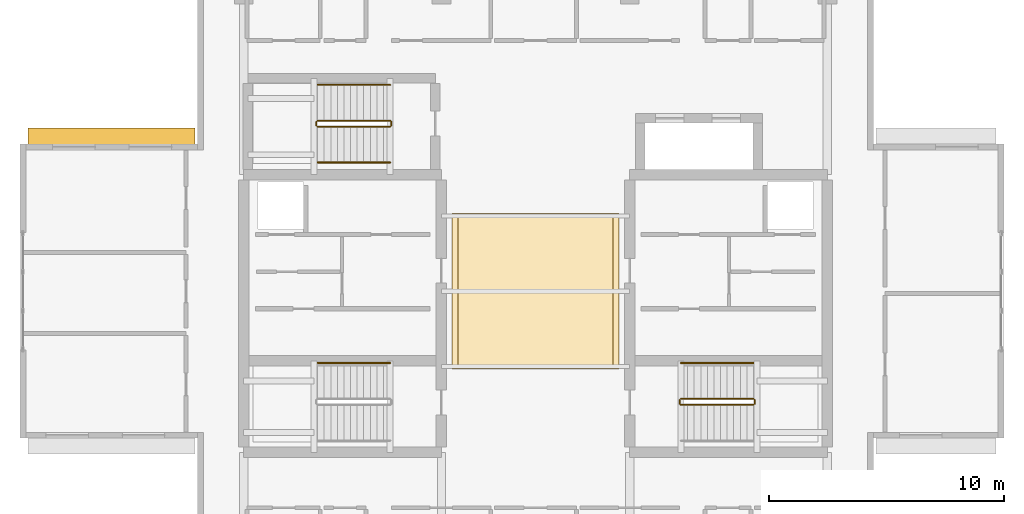
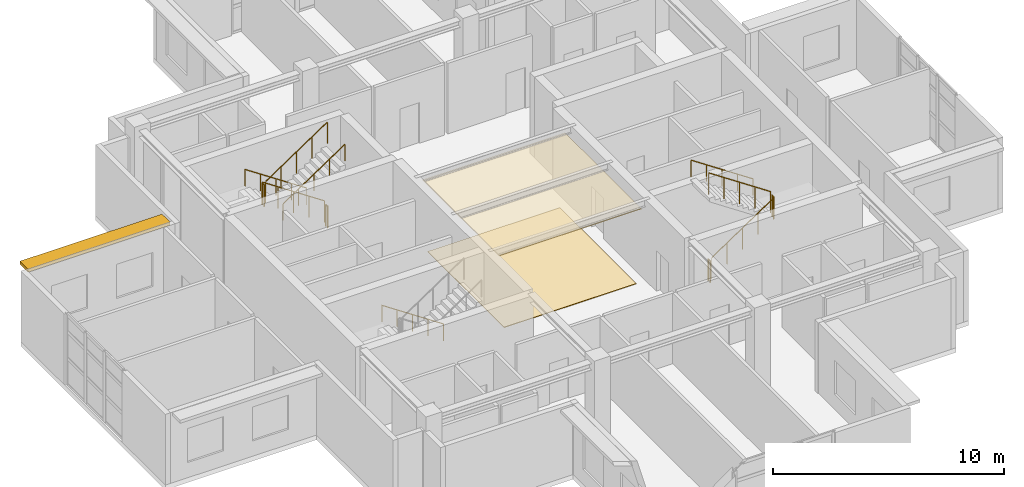
# One storey, part 15 of 16: 12 railings, 2 coverings, 1 shading device.
"""IFC4 building model written with IfcOpenShell, lengths in metres."""

from ifc_helpers import new_model, si_unit, direction, frame, origin, origin_with_axes, origin_2d, place, context, subcontext, project, spatial, rectangle, circle, extrude, material, layer, layer_set, type_object, element, save


model = new_model("IFC4")

# Units and contexts
model_context = context("Model", 3, precision=1e-05, world=origin(), true_north=direction((0.0, 1.0)))
body_context = subcontext(model_context, "Body", "Model", "MODEL_VIEW")
ifc_project = project(units=[si_unit("LENGTHUNIT", "METRE"), si_unit("AREAUNIT", "SQUARE_METRE"), si_unit("VOLUMEUNIT", "CUBIC_METRE"), si_unit("PLANEANGLEUNIT", "RADIAN"), si_unit("MASSUNIT", "GRAM", prefix="KILO")], contexts=[model_context])

# Site, building, storey
site_placement = place(None, origin())
site = spatial("IfcSite", under=ifc_project, at=site_placement, CompositionType="ELEMENT")
building_placement = place(site_placement, origin())
building = spatial("IfcBuilding", under=site, at=building_placement, Name="Qingluan Cross Belvedere", CompositionType="ELEMENT")
storey_placement = place(building_placement, frame((0.0, 0.0, 308.39990234375)))
storey = spatial("IfcBuildingStorey", under=building, at=storey_placement, Name="L76", CompositionType="ELEMENT", Elevation=308.39990234375)

# Covering
ifc_material_1 = material(Name="Perforated gypsum acoustic ceiling board")
ifc_layer_1 = layer(ifc_material_1, 0.0400390625, Name="AcousticLobbyCeiling_40")
ifc_layer_set_1 = layer_set([ifc_layer_1], Name="Perforated gypsum acoustic ceiling board")
covering_type_1 = type_object("IfcCoveringType", Name="AcousticLobbyCeiling_40", PredefinedType="CEILING", material=ifc_layer_set_1)
covering_1_placement = place(storey_placement, frame((0.0, 0.0, 3.860107421875), z_axis=(0.0, 0.0, 1.0), x_axis=(1.0, 0.0, 0.0)))
element("IfcCovering", 1, at=covering_1_placement, inside=storey, type_object=covering_type_1, Name="Central lobby acoustic ceiling L76", PredefinedType="CEILING", context=body_context, shape_type="SweptSolid", body=[
    extrude(rectangle(XDim=7.10009765625, YDim=6.60009765625, at=origin_2d()), origin(), (0.0, 0.0, 1.0), 0.0400390625),
])

# Shading device
ifc_material_2 = material(Name="Precast concrete C45", Category="concrete")
ifc_layer_2 = layer(ifc_material_2, 0.139892578125, Name="ConcreteSunshadeBand_700")
ifc_layer_set_2 = layer_set([ifc_layer_2], Name="Precast concrete C45")
shading_device_type = type_object("IfcShadingDeviceType", Name="ConcreteSunshadeBand_700", PredefinedType="USERDEFINED", material=ifc_layer_set_2)
shading_device_placement = place(storey_placement, frame((-18.010009765625, 6.574951171875, 3.55029296875), z_axis=(0.0, 0.0, 1.0), x_axis=(-1.0, 0.0, 0.0)))
element("IfcShadingDevice", 2, at=shading_device_placement, inside=storey, type_object=shading_device_type, Name="Concrete SUNSHADE L76-WA", ObjectType="SUNSHADE", PredefinedType="USERDEFINED", context=body_context, shape_type="SweptSolid", body=[
    extrude(rectangle(XDim=7.090087890625, YDim=0.699951171875, at=origin_2d()), origin(), (0.0, 0.0, 1.0), 0.159912109375),
])

# Covering
ifc_material_3 = material(Name="Honed Hubei grey granite stone flooring", Category="masonry")
ifc_layer_3 = layer(ifc_material_3, 0.030029296875, Name="GraniteLobbyFlooring_30")
ifc_layer_set_3 = layer_set([ifc_layer_3], Name="Honed Hubei grey granite stone flooring")
covering_type_2 = type_object("IfcCoveringType", Name="GraniteLobbyFlooring_30", PredefinedType="FLOORING", material=ifc_layer_set_3)
covering_2_placement = place(storey_placement, origin_with_axes())
element("IfcCovering", 3, at=covering_2_placement, inside=storey, type_object=covering_type_2, Name="Central lobby granite flooring L76", PredefinedType="FLOORING", context=body_context, shape_type="SweptSolid", body=[
    extrude(rectangle(XDim=6.60009765625, YDim=6.60009765625, at=origin_2d()), origin(), (0.0, 0.0, 1.0), 0.030029296875),
])

# Railings
ifc_material_4 = material(Name="Brushed stainless steel tubular handrail", Category="steel")
railing_type_1 = type_object("IfcRailingType", Name="StairPitchHandrail_900", PredefinedType="HANDRAIL", material=ifc_material_4)
for number, where, name in (
    (4, (-6.179931640625, -3.050048828125, 0.1875), "L76 ST1 stair handrail 1"),
    (5, (9.260009765625, -3.050048828125, 2.4375), "L76 ST2 stair handrail 2"),
    (6, (-6.179931640625, 8.77001953125, 0.1875), "L76 ST3 stair handrail 1"),
):
    element("IfcRailing", number, at=place(storey_placement, frame(where)), inside=storey, type_object=railing_type_1, Name=name, PredefinedType="HANDRAIL", context=body_context, shape_type="SweptSolid", body=[
        extrude(circle(Radius=0.02392578125, at=origin_2d()), frame((0.0, 0.0, 0.8759765625), z_axis=(-0.830913701846, 0.0, 0.55640131208), x_axis=(0.0, -1.0, 0.0)), (0.0, 0.0, 1.0), 3.706787109375),
        extrude(circle(Radius=0.02099609375, at=origin_2d()), origin(), (0.0, 0.0, 1.0), 0.851806640625),
        extrude(circle(Radius=0.02099609375, at=origin_2d()), frame((-0.77001953125, 0.0, 0.515625)), (0.0, 0.0, 1.0), 0.851806640625),
        extrude(circle(Radius=0.02099609375, at=origin_2d()), frame((-1.5400390625, 0.0, 1.03125)), (0.0, 0.0, 1.0), 0.851806640625),
        extrude(circle(Radius=0.02099609375, at=origin_2d()), frame((-2.31005859375, 0.0, 1.546875)), (0.0, 0.0, 1.0), 0.851806640625),
        extrude(circle(Radius=0.02099609375, at=origin_2d()), frame((-3.080078125, 0.0, 2.0625)), (0.0, 0.0, 1.0), 0.851806640625),
    ])
railing_1_placement = place(storey_placement, frame((-9.260009765625, 5.469970703125, 2.4375)))
element("IfcRailing", 7, at=railing_1_placement, inside=storey, type_object=railing_type_1, Name="L76 ST3 stair handrail 2", PredefinedType="HANDRAIL", context=body_context, shape_type="SweptSolid", body=[
    extrude(circle(Radius=0.02392578125, at=origin_2d()), frame((0.0, 0.0, 0.8759765625), z_axis=(0.830913701846, 0.0, 0.55640131208), x_axis=(0.0, 1.0, 0.0)), (0.0, 0.0, 1.0), 3.706787109375),
    extrude(circle(Radius=0.02099609375, at=origin_2d()), origin(), (0.0, 0.0, 1.0), 0.851806640625),
    extrude(circle(Radius=0.02099609375, at=origin_2d()), frame((0.77001953125, 0.0, 0.515625)), (0.0, 0.0, 1.0), 0.851806640625),
    extrude(circle(Radius=0.02099609375, at=origin_2d()), frame((1.5400390625, 0.0, 1.03125)), (0.0, 0.0, 1.0), 0.851806640625),
    extrude(circle(Radius=0.02099609375, at=origin_2d()), frame((2.31005859375, 0.0, 1.546875)), (0.0, 0.0, 1.0), 0.851806640625),
    extrude(circle(Radius=0.02099609375, at=origin_2d()), frame((3.080078125, 0.0, 2.0625)), (0.0, 0.0, 1.0), 0.851806640625),
])
ifc_material_5 = material(Name="Painted steel stair well guard", Category="steel")
railing_type_2 = type_object("IfcRailingType", Name="StairWellGuard_1150", PredefinedType="BALUSTRADE", material=ifc_material_5)
railing_2_placement = place(storey_placement, frame((6.179931640625, -4.830078125, 0.1875)))
element("IfcRailing", 8, at=railing_2_placement, inside=storey, type_object=railing_type_2, Name="L76 ST2 stair guard 1", PredefinedType="BALUSTRADE", context=body_context, shape_type="SweptSolid", body=[
    extrude(circle(Radius=0.02392578125, at=origin_2d()), frame((0.0, 0.0, 1.1259765625), z_axis=(0.830913701846, 0.0, 0.55640131208), x_axis=(0.0, 1.0, 0.0)), (0.0, 0.0, 1.0), 3.706787109375),
    extrude(circle(Radius=0.02099609375, at=origin_2d()), origin(), (0.0, 0.0, 1.0), 1.101806640625),
    extrude(circle(Radius=0.02099609375, at=origin_2d()), frame((0.77001953125, 0.0, 0.515625)), (0.0, 0.0, 1.0), 1.101806640625),
    extrude(circle(Radius=0.02099609375, at=origin_2d()), frame((1.5400390625, 0.0, 1.03125)), (0.0, 0.0, 1.0), 1.101806640625),
    extrude(circle(Radius=0.02099609375, at=origin_2d()), frame((2.31005859375, 0.0, 1.546875)), (0.0, 0.0, 1.0), 1.101806640625),
    extrude(circle(Radius=0.02099609375, at=origin_2d()), frame((3.080078125, 0.0, 2.0625)), (0.0, 0.0, 1.0), 1.101806640625),
])
railing_3_placement = place(storey_placement, frame((9.31005859375, -4.780029296875, 2.25)))
element("IfcRailing", 9, at=railing_3_placement, inside=storey, type_object=railing_type_2, Name="L76 ST2 stair guard 2", PredefinedType="BALUSTRADE", context=body_context, shape_type="SweptSolid", body=[
    extrude(circle(Radius=0.02392578125, at=origin_2d()), frame((0.0, 0.0, 1.1259765625), z_axis=(0.0, 1.0, 0.0), x_axis=(-1.0, 0.0, 0.0)), (0.0, 0.0, 1.0), 0.159912109375),
    extrude(circle(Radius=0.02099609375, at=origin_2d()), origin(), (0.0, 0.0, 1.0), 1.101806640625),
    extrude(circle(Radius=0.02099609375, at=origin_2d()), frame((0.0, 0.159912109375, 0.0)), (0.0, 0.0, 1.0), 1.101806640625),
])
railing_4_placement = place(storey_placement, frame((9.260009765625, -4.570068359375, 2.4375)))
element("IfcRailing", 10, at=railing_4_placement, inside=storey, type_object=railing_type_2, Name="L76 ST2 stair guard 3", PredefinedType="BALUSTRADE", context=body_context, shape_type="SweptSolid", body=[
    extrude(circle(Radius=0.02392578125, at=origin_2d()), frame((0.0, 0.0, 1.1259765625), z_axis=(-0.830913701846, 0.0, 0.55640131208), x_axis=(0.0, -1.0, 0.0)), (0.0, 0.0, 1.0), 3.706787109375),
    extrude(circle(Radius=0.02099609375, at=origin_2d()), origin(), (0.0, 0.0, 1.0), 1.101806640625),
    extrude(circle(Radius=0.02099609375, at=origin_2d()), frame((-0.77001953125, 0.0, 0.515625)), (0.0, 0.0, 1.0), 1.101806640625),
    extrude(circle(Radius=0.02099609375, at=origin_2d()), frame((-1.5400390625, 0.0, 1.03125)), (0.0, 0.0, 1.0), 1.101806640625),
    extrude(circle(Radius=0.02099609375, at=origin_2d()), frame((-2.31005859375, 0.0, 1.546875)), (0.0, 0.0, 1.0), 1.101806640625),
    extrude(circle(Radius=0.02099609375, at=origin_2d()), frame((-3.080078125, 0.0, 2.0625)), (0.0, 0.0, 1.0), 1.101806640625),
])
railing_5_placement = place(storey_placement, frame((6.1298828125, -4.780029296875, 0.0)))
element("IfcRailing", 11, at=railing_5_placement, inside=storey, type_object=railing_type_2, Name="L76 ST2 stair guard 4", PredefinedType="BALUSTRADE", context=body_context, shape_type="SweptSolid", body=[
    extrude(circle(Radius=0.02392578125, at=origin_2d()), frame((0.0, 0.0, 1.1259765625), z_axis=(0.0, 1.0, 0.0), x_axis=(-1.0, 0.0, 0.0)), (0.0, 0.0, 1.0), 0.159912109375),
    extrude(circle(Radius=0.02099609375, at=origin_2d()), origin(), (0.0, 0.0, 1.0), 1.101806640625),
    extrude(circle(Radius=0.02099609375, at=origin_2d()), frame((0.0, 0.159912109375, 0.0)), (0.0, 0.0, 1.0), 1.101806640625),
])
railing_6_placement = place(storey_placement, frame((-6.179931640625, 7.25, 0.1875)))
element("IfcRailing", 12, at=railing_6_placement, inside=storey, type_object=railing_type_2, Name="L76 ST3 stair guard 1", PredefinedType="BALUSTRADE", context=body_context, shape_type="SweptSolid", body=[
    extrude(circle(Radius=0.02392578125, at=origin_2d()), frame((0.0, 0.0, 1.1259765625), z_axis=(-0.830913701846, 0.0, 0.55640131208), x_axis=(0.0, -1.0, 0.0)), (0.0, 0.0, 1.0), 3.706787109375),
    extrude(circle(Radius=0.02099609375, at=origin_2d()), origin(), (0.0, 0.0, 1.0), 1.101806640625),
    extrude(circle(Radius=0.02099609375, at=origin_2d()), frame((-0.77001953125, 0.0, 0.515625)), (0.0, 0.0, 1.0), 1.101806640625),
    extrude(circle(Radius=0.02099609375, at=origin_2d()), frame((-1.5400390625, 0.0, 1.03125)), (0.0, 0.0, 1.0), 1.101806640625),
    extrude(circle(Radius=0.02099609375, at=origin_2d()), frame((-2.31005859375, 0.0, 1.546875)), (0.0, 0.0, 1.0), 1.101806640625),
    extrude(circle(Radius=0.02099609375, at=origin_2d()), frame((-3.080078125, 0.0, 2.0625)), (0.0, 0.0, 1.0), 1.101806640625),
])
railing_7_placement = place(storey_placement, frame((-9.31005859375, 7.199951171875, 2.25)))
element("IfcRailing", 13, at=railing_7_placement, inside=storey, type_object=railing_type_2, Name="L76 ST3 stair guard 2", PredefinedType="BALUSTRADE", context=body_context, shape_type="SweptSolid", body=[
    extrude(circle(Radius=0.02392578125, at=origin_2d()), frame((0.0, 0.0, 1.1259765625), z_axis=(0.0, -1.0, 0.0), x_axis=(1.0, 0.0, 0.0)), (0.0, 0.0, 1.0), 0.159912109375),
    extrude(circle(Radius=0.02099609375, at=origin_2d()), origin(), (0.0, 0.0, 1.0), 1.101806640625),
    extrude(circle(Radius=0.02099609375, at=origin_2d()), frame((0.0, -0.159912109375, 0.0)), (0.0, 0.0, 1.0), 1.101806640625),
])
railing_8_placement = place(storey_placement, frame((-9.260009765625, 6.989990234375, 2.4375)))
element("IfcRailing", 14, at=railing_8_placement, inside=storey, type_object=railing_type_2, Name="L76 ST3 stair guard 3", PredefinedType="BALUSTRADE", context=body_context, shape_type="SweptSolid", body=[
    extrude(circle(Radius=0.02392578125, at=origin_2d()), frame((0.0, 0.0, 1.1259765625), z_axis=(0.830913701846, 0.0, 0.55640131208), x_axis=(0.0, 1.0, 0.0)), (0.0, 0.0, 1.0), 3.706787109375),
    extrude(circle(Radius=0.02099609375, at=origin_2d()), origin(), (0.0, 0.0, 1.0), 1.101806640625),
    extrude(circle(Radius=0.02099609375, at=origin_2d()), frame((0.77001953125, 0.0, 0.515625)), (0.0, 0.0, 1.0), 1.101806640625),
    extrude(circle(Radius=0.02099609375, at=origin_2d()), frame((1.5400390625, 0.0, 1.03125)), (0.0, 0.0, 1.0), 1.101806640625),
    extrude(circle(Radius=0.02099609375, at=origin_2d()), frame((2.31005859375, 0.0, 1.546875)), (0.0, 0.0, 1.0), 1.101806640625),
    extrude(circle(Radius=0.02099609375, at=origin_2d()), frame((3.080078125, 0.0, 2.0625)), (0.0, 0.0, 1.0), 1.101806640625),
])
railing_9_placement = place(storey_placement, frame((-6.1298828125, 7.199951171875, 0.0)))
element("IfcRailing", 15, at=railing_9_placement, inside=storey, type_object=railing_type_2, Name="L76 ST3 stair guard 4", PredefinedType="BALUSTRADE", context=body_context, shape_type="SweptSolid", body=[
    extrude(circle(Radius=0.02392578125, at=origin_2d()), frame((0.0, 0.0, 1.1259765625), z_axis=(0.0, -1.0, 0.0), x_axis=(1.0, 0.0, 0.0)), (0.0, 0.0, 1.0), 0.159912109375),
    extrude(circle(Radius=0.02099609375, at=origin_2d()), origin(), (0.0, 0.0, 1.0), 1.101806640625),
    extrude(circle(Radius=0.02099609375, at=origin_2d()), frame((0.0, -0.159912109375, 0.0)), (0.0, 0.0, 1.0), 1.101806640625),
])

save(model, "model.ifc")
